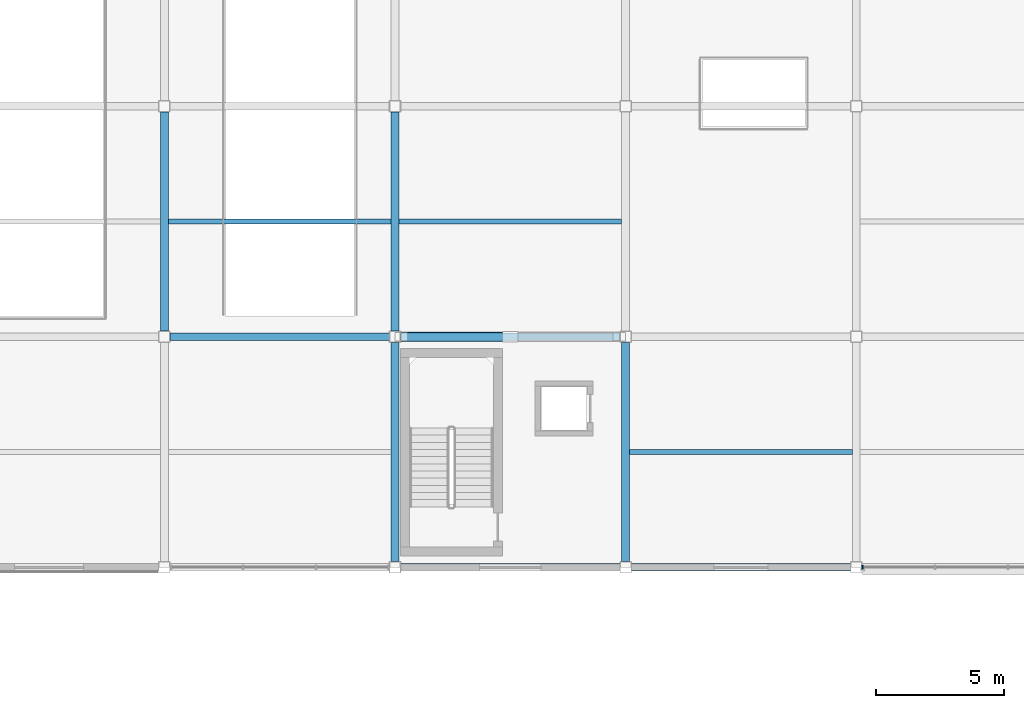
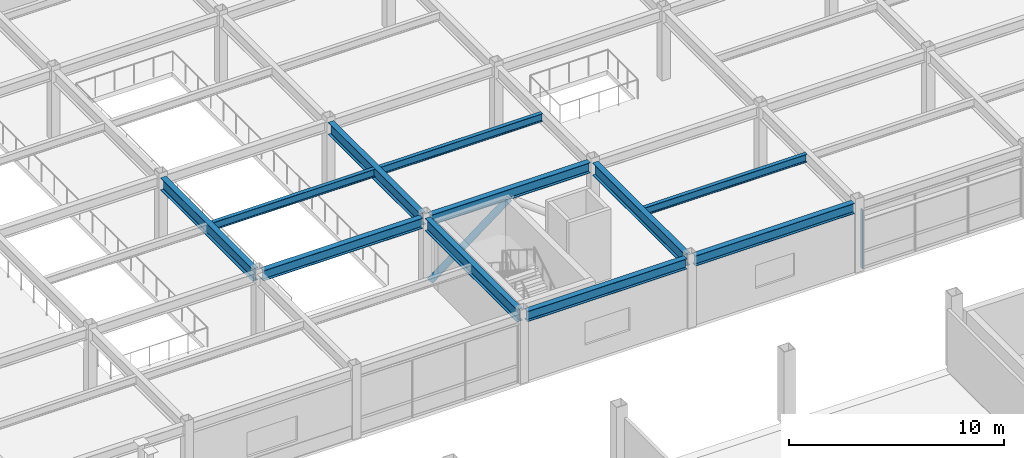
# One storey, part 41 of 105: 11 beams, 2 members, 1 element without a shape of its own.
"""IFC4 building model written with IfcOpenShell, lengths in metres."""

from ifc_helpers import new_model, si_unit, direction, frame, origin, origin_2d, place, context, subcontext, project, spatial, rectangle, hollow_circle, i_section, extrude, material, material_profile, profile_set, type_object, element, aggregate, save


model = new_model("IFC4")

# Units and contexts
model_context = context("Model", 3, precision=1e-05, world=origin(), true_north=direction((0.0, 1.0)))
body_context = subcontext(model_context, "Body", "Model", "MODEL_VIEW")
ifc_project = project(units=[si_unit("LENGTHUNIT", "METRE"), si_unit("AREAUNIT", "SQUARE_METRE"), si_unit("VOLUMEUNIT", "CUBIC_METRE"), si_unit("PLANEANGLEUNIT", "RADIAN"), si_unit("MASSUNIT", "GRAM", prefix="KILO")], contexts=[model_context])

# Site, building, storey
site_placement = place(None, origin())
site = spatial("IfcSite", under=ifc_project, at=site_placement, CompositionType="ELEMENT")
building_placement = place(site_placement, origin())
building = spatial("IfcBuilding", under=site, at=building_placement, Name="Suzunagisa Mobility Hub", CompositionType="ELEMENT")
storey_placement = place(building_placement, frame((0.0, 0.0, 5.10009765625)))
storey = spatial("IfcBuildingStorey", under=building, at=storey_placement, Name="L01", CompositionType="ELEMENT", Elevation=5.10009765625)

# Curtain wall, member
ifc_material_1 = material(Name="Thermally Broken Anodized Aluminum and Low-E Glazing", Category="aluminium")
curtain_wall_type = type_object("IfcCurtainWallType", Name="Unitised Curtain Wall CW-29 8500x3400", PredefinedType="USERDEFINED", material=ifc_material_1)
curtain_wall_placement = place(storey_placement, origin())
curtain_wall = element("IfcCurtainWall", 1, at=curtain_wall_placement, inside=storey, type_object=curtain_wall_type, Name="L01 Unitised Curtain Wall CW-102", ObjectType="UNITISED CURTAIN WALL", PredefinedType="USERDEFINED")
ifc_material_2 = material(Name="Anodized Aluminum 6063-T6", Category="aluminium")
ifc_material_profile_1 = material_profile(ifc_material_2, rectangle(XDim=0.06005859375, YDim=0.14990234375, at=origin_2d()), Name="MULL-60x150")
ifc_profile_set_1 = profile_set([ifc_material_profile_1], Name="Anodized Aluminum 6063-T6")
member_type_1 = type_object("IfcMemberType", Name="Curtain Wall Framing CM-03 MULL-60x150", PredefinedType="MULLION", material=ifc_profile_set_1)
member_1_placement = place(storey_placement, frame((108.2548828125, 80.0, 0.0), z_axis=(0.0, 0.0, 1.0), x_axis=(1.0, 0.0, 0.0)))
member_1 = element("IfcMember", 2, at=member_1_placement, type_object=member_type_1, Name="Curtain Wall Mullion 102-M1", PredefinedType="MULLION", context=body_context, shape_type="SweptSolid", body=[
    extrude(rectangle(XDim=0.06005859375, YDim=0.14990234375, at=origin_2d()), origin(), (0.0, 0.0, 1.0), 3.351806640625),
])
aggregate(curtain_wall, [member_1])

# Member
ifc_material_3 = material(Name="Steel SN490B", Category="steel")
ifc_material_profile_2 = material_profile(ifc_material_3, hollow_circle(Radius=0.177734375, WallThickness=0.0126953125, at=origin_2d()), Name="CHS-355.6x12.7")
ifc_profile_set_2 = profile_set([ifc_material_profile_2], Name="Steel SN490B")
member_type_2 = type_object("IfcMemberType", Name="Roof Truss and Brace Member MB-03 CHS-355.6x12.7", PredefinedType="BRACE", material=ifc_profile_set_2)
member_2_placement = place(storey_placement, frame((90.2451171875, 89.0, 0.119873046875), z_axis=(0.797577166711, 0.0, 0.603216928759), x_axis=(0.0, 1.0, 0.0)))
element("IfcMember", 3, at=member_2_placement, inside=storey, type_object=member_type_2, Name="L01 Concentric Lateral Brace BR-41", PredefinedType="BRACE", context=body_context, shape_type="SweptSolid", body=[
    extrude(hollow_circle(Radius=0.177734375, WallThickness=0.0126953125, at=origin_2d()), origin(), (0.0, 0.0, 1.0), 5.334716796875),
])

# Beams
ifc_material_4 = material(Name="Steel SN400B", Category="steel")
ifc_material_profile_3 = material_profile(ifc_material_4, i_section(OverallWidth=0.199951171875, OverallDepth=0.449951171875, WebThickness=0.009033203125, FlangeThickness=0.013916015625, FilletRadius=0.012939453125, at=origin_2d()), Name="H-450x200x9x14")
ifc_profile_set_3 = profile_set([ifc_material_profile_3], Name="Steel SN400B")
beam_type_1 = type_object("IfcBeamType", Name="Steel Beam BM-05 H-450x200x9x14", PredefinedType="JOIST", material=ifc_profile_set_3)
for number, where, z_axis, x_axis, name in (
    (4, (81.14990234375, 93.5, 3.71484375), (1.0, 0.0, 0.0), (0.0, 1.0, 0.0), "L01 Composite Floor Joist J-900"),
    (5, (90.14990234375, 93.5, 3.71484375), (1.0, 0.0, 0.0), (0.0, 1.0, 0.0), "L01 Composite Floor Joist J-903"),
    (6, (99.14990234375, 84.5, 3.71484375), (1.0, 0.0, 0.0), (0.0, 1.0, 0.0), "L01 Composite Floor Joist J-906"),
):
    element("IfcBeam", number, at=place(storey_placement, frame(where, z_axis=z_axis, x_axis=x_axis)), inside=storey, type_object=beam_type_1, Name=name, PredefinedType="JOIST", context=body_context, shape_type="SweptSolid", body=[
        extrude(i_section(OverallWidth=0.199951171875, OverallDepth=0.449951171875, WebThickness=0.009033203125, FlangeThickness=0.013916015625, FilletRadius=0.012939453125, at=origin_2d()), origin(), (0.0, 0.0, 1.0), 8.7001953125),
    ])
ifc_material_profile_4 = material_profile(ifc_material_3, i_section(OverallWidth=0.300048828125, OverallDepth=0.699951171875, WebThickness=0.012939453125, FlangeThickness=0.02392578125, FilletRadius=0.01806640625, at=origin_2d()), Name="H-700x300x13x24")
ifc_profile_set_4 = profile_set([ifc_material_profile_4], Name="Steel SN490B")
beam_type_2 = type_object("IfcBeamType", Name="Steel Beam BM-11 H-700x300x13x24", PredefinedType="BEAM", material=ifc_profile_set_4)
for number, where, z_axis, x_axis, name in (
    (7, (81.0, 89.220947265625, 3.58984375), (0.0, 1.0, 0.0), (-1.0, 0.0, 0.0), "L01 Primary Girder GY-863"),
    (8, (90.0, 80.220947265625, 3.58984375), (0.0, 1.0, 0.0), (-1.0, 0.0, 0.0), "L01 Primary Girder GY-866"),
    (9, (90.0, 89.220947265625, 3.58984375), (0.0, 1.0, 0.0), (-1.0, 0.0, 0.0), "L01 Primary Girder GY-867"),
    (10, (99.0, 80.220947265625, 3.58984375), (0.0, 1.0, 0.0), (-1.0, 0.0, 0.0), "L01 Primary Girder GY-870"),
):
    element("IfcBeam", number, at=place(storey_placement, frame(where, z_axis=z_axis, x_axis=x_axis)), inside=storey, type_object=beam_type_2, Name=name, PredefinedType="BEAM", context=body_context, shape_type="SweptSolid", body=[
        extrude(i_section(OverallWidth=0.300048828125, OverallDepth=0.699951171875, WebThickness=0.012939453125, FlangeThickness=0.02392578125, FilletRadius=0.01806640625, at=origin_2d()), origin(), (0.0, 0.0, 1.0), 8.55810546875),
    ])
ifc_material_profile_5 = material_profile(ifc_material_3, i_section(OverallWidth=0.300048828125, OverallDepth=0.587890625, WebThickness=0.011962890625, FlangeThickness=0.02001953125, FilletRadius=0.012939453125, at=origin_2d()), Name="H-588x300x12x20")
ifc_profile_set_5 = profile_set([ifc_material_profile_5], Name="Steel SN490B")
beam_type_3 = type_object("IfcBeamType", Name="Steel Beam BM-16 H-588x300x12x20", PredefinedType="BEAM", material=ifc_profile_set_5)
for number, where, z_axis, x_axis, name in (
    (11, (90.220947265625, 80.0, 3.64599609375), (1.0, 0.0, 0.0), (0.0, 1.0, 0.0), "L01 Primary Girder GX-807"),
    (12, (99.220947265625, 80.0, 3.64599609375), (1.0, 0.0, 0.0), (0.0, 1.0, 0.0), "L01 Primary Girder GX-808"),
    (13, (81.220947265625, 89.0, 3.64599609375), (1.0, 0.0, 0.0), (0.0, 1.0, 0.0), "L01 Primary Girder GX-815"),
    (14, (90.220947265625, 89.0, 3.64599609375), (1.0, 0.0, 0.0), (0.0, 1.0, 0.0), "L01 Primary Girder GX-816"),
):
    element("IfcBeam", number, at=place(storey_placement, frame(where, z_axis=z_axis, x_axis=x_axis)), inside=storey, type_object=beam_type_3, Name=name, PredefinedType="BEAM", context=body_context, shape_type="SweptSolid", body=[
        extrude(i_section(OverallWidth=0.300048828125, OverallDepth=0.587890625, WebThickness=0.011962890625, FlangeThickness=0.02001953125, FilletRadius=0.012939453125, at=origin_2d()), origin(), (0.0, 0.0, 1.0), 8.55810546875),
    ])

save(model, "model.ifc")
